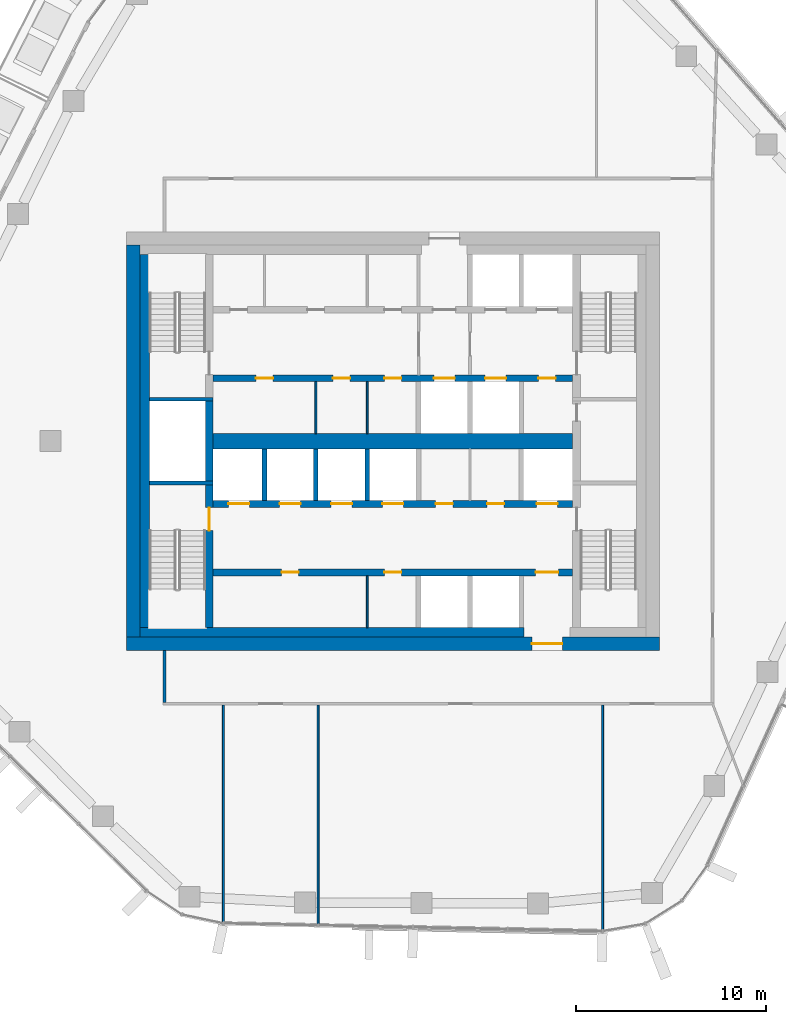
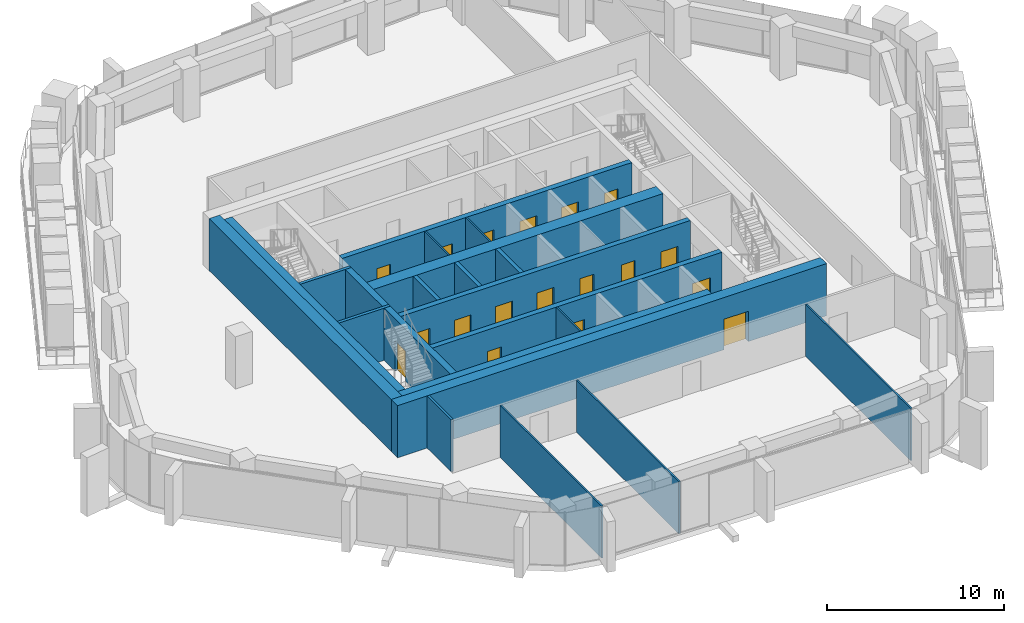
# One storey, part 11 of 21: 22 walls, 18 doors, 18 openings.
"""IFC4 building model written with IfcOpenShell, lengths in metres."""

from ifc_helpers import new_model, si_unit, direction, frame, frame_2d, origin, place, context, subcontext, project, spatial, rectangle, extrude, material, layer, layer_set, type_object, element, fill, save


model = new_model("IFC4")

# Units and contexts
model_context = context("Model", 3, precision=1e-05, world=origin(), true_north=direction((0.0, 1.0)))
body_context = subcontext(model_context, "Body", "Model", "MODEL_VIEW")
ifc_project = project(units=[si_unit("LENGTHUNIT", "METRE"), si_unit("AREAUNIT", "SQUARE_METRE"), si_unit("VOLUMEUNIT", "CUBIC_METRE"), si_unit("PLANEANGLEUNIT", "RADIAN"), si_unit("MASSUNIT", "GRAM", prefix="KILO")], contexts=[model_context])

# Site, building, storey
site_placement = place(None, origin())
site = spatial("IfcSite", under=ifc_project, at=site_placement, CompositionType="ELEMENT")
building_placement = place(site_placement, origin())
building = spatial("IfcBuilding", under=site, at=building_placement, Name="Dongbaek Canopy Tower", CompositionType="ELEMENT")
storey_placement = place(building_placement, frame((0.0, 0.0, 279.0)))
storey = spatial("IfcBuildingStorey", under=building, at=storey_placement, Name="L59", CompositionType="ELEMENT", Elevation=279.0)

# Wall
ifc_material_1 = material(Name="Concrete C60/75", Category="concrete")
ifc_layer_1 = layer(ifc_material_1, 0.800048828125)
ifc_layer_set_1 = layer_set([ifc_layer_1], Name="Core central wall 800 Concrete C60/75")
wall_type_1 = type_object("IfcWallType", Name="Core central wall 800 Concrete C60/75", PredefinedType="SHEAR", material=ifc_layer_set_1)
wall_1_placement = place(storey_placement, frame((-9.449951171875, 0.0, 0.0), z_axis=(0.0, 0.0, 1.0), x_axis=(1.0, 0.0, 0.0)))
element("IfcWall", 1, at=wall_1_placement, inside=storey, type_object=wall_type_1, Name="Core wall", PredefinedType="SHEAR", context=body_context, shape_type="SweptSolid", body=[
    extrude(rectangle(XDim=18.89990234375, YDim=0.800048828125, at=frame_2d((9.449951171875, 0.0))), origin(), (0.0, 0.0, 1.0), 3.60009765625),
])

# Wall, openings, doors
ifc_material_2 = material(Name="Concrete C60/75", Category="concrete")
ifc_layer_2 = layer(ifc_material_2, 0.35009765625)
ifc_layer_set_2 = layer_set([ifc_layer_2], Name="Core lobby wall 350 Concrete C60/75")
wall_type_2 = type_object("IfcWallType", Name="Core lobby wall 350 Concrete C60/75", PredefinedType="SHEAR", material=ifc_layer_set_2)
wall_2_placement = place(storey_placement, frame((9.449951171875, 3.300048828125, 0.0), z_axis=(0.0, 0.0, 1.0), x_axis=(-1.0, 0.0, 0.0)))
wall_2 = element("IfcWall", 2, at=wall_2_placement, inside=storey, type_object=wall_type_2, Name="Core wall", PredefinedType="SHEAR", context=body_context, shape_type="SweptSolid", body=[
    extrude(rectangle(XDim=18.89990234375, YDim=0.35009765625, at=frame_2d((9.449951171875, 0.0))), origin(), (0.0, 0.0, 1.0), 3.60009765625),
])
opening_1_placement = place(wall_2_placement, frame((6.199951171875, 0.0, 0.0)))
opening_1 = element("IfcOpeningElement", 3, at=opening_1_placement, cuts=wall_2, Name="Opening L59-D012", PredefinedType="OPENING", context=body_context, shape_type="SweptSolid", body=[
    extrude(rectangle(XDim=1.10009765625, YDim=2.10009765625, at=frame_2d((0.550048828125, 1.050048828125))), frame((0.0, 0.18505859375, 0.0), z_axis=(0.0, -1.0, 0.0), x_axis=(1.0, 0.0, 0.0)), (0.0, 0.0, 1.0), 0.3701171875),
])
opening_2_placement = place(wall_2_placement, frame((3.5, 0.0, 0.0)))
opening_2 = element("IfcOpeningElement", 4, at=opening_2_placement, cuts=wall_2, Name="Opening L59-D013", PredefinedType="OPENING", context=body_context, shape_type="SweptSolid", body=[
    extrude(rectangle(XDim=1.10009765625, YDim=2.10009765625, at=frame_2d((0.550048828125, 1.050048828125))), frame((0.0, 0.18505859375, 0.0), z_axis=(0.0, -1.0, 0.0), x_axis=(1.0, 0.0, 0.0)), (0.0, 0.0, 1.0), 0.3701171875),
])
opening_3_placement = place(wall_2_placement, frame((0.89990234375, 0.0, 0.0)))
opening_3 = element("IfcOpeningElement", 5, at=opening_3_placement, cuts=wall_2, Name="Opening L59-D014", PredefinedType="OPENING", context=body_context, shape_type="SweptSolid", body=[
    extrude(rectangle(XDim=0.89990234375, YDim=2.10009765625, at=frame_2d((0.449951171875, 1.050048828125))), frame((0.0, 0.18505859375, 0.0), z_axis=(0.0, -1.0, 0.0), x_axis=(1.0, 0.0, 0.0)), (0.0, 0.0, 1.0), 0.3701171875),
])
opening_4_placement = place(wall_2_placement, frame((15.75, 0.0, 0.0)))
opening_4 = element("IfcOpeningElement", 6, at=opening_4_placement, cuts=wall_2, Name="Opening L59-D025", PredefinedType="OPENING", context=body_context, shape_type="SweptSolid", body=[
    extrude(rectangle(XDim=0.89990234375, YDim=2.10009765625, at=frame_2d((0.449951171875, 1.050048828125))), frame((0.0, 0.18505859375, 0.0), z_axis=(0.0, -1.0, 0.0), x_axis=(1.0, 0.0, 0.0)), (0.0, 0.0, 1.0), 0.3701171875),
])
opening_5_placement = place(wall_2_placement, frame((11.699951171875, 0.0, 0.0)))
opening_5 = element("IfcOpeningElement", 7, at=opening_5_placement, cuts=wall_2, Name="Opening L59-D026", PredefinedType="OPENING", context=body_context, shape_type="SweptSolid", body=[
    extrude(rectangle(XDim=0.89990234375, YDim=2.10009765625, at=frame_2d((0.449951171875, 1.050048828125))), frame((0.0, 0.18505859375, 0.0), z_axis=(0.0, -1.0, 0.0), x_axis=(1.0, 0.0, 0.0)), (0.0, 0.0, 1.0), 0.3701171875),
])
opening_6_placement = place(wall_2_placement, frame((9.0, 0.0, 0.0)))
opening_6 = element("IfcOpeningElement", 8, at=opening_6_placement, cuts=wall_2, Name="Opening L59-D027", PredefinedType="OPENING", context=body_context, shape_type="SweptSolid", body=[
    extrude(rectangle(XDim=0.89990234375, YDim=2.10009765625, at=frame_2d((0.449951171875, 1.050048828125))), frame((0.0, 0.18505859375, 0.0), z_axis=(0.0, -1.0, 0.0), x_axis=(1.0, 0.0, 0.0)), (0.0, 0.0, 1.0), 0.3701171875),
])
ifc_material_3 = material(Name="Steel", Category="steel")
door_type_1 = type_object("IfcDoorType", Name="Core room door 900 x 2100", OperationType="SINGLE_SWING_LEFT", PredefinedType="DOOR", material=ifc_material_3)
door_1_placement = place(opening_3_placement, origin())
door_1 = element("IfcDoor", 9, at=door_1_placement, inside=storey, type_object=door_type_1, Name="Door L59-D014", OperationType="SINGLE_SWING_LEFT", OverallHeight=2.10009765625, OverallWidth=0.89990234375, PredefinedType="DOOR", context=body_context, shape_type="SweptSolid", body=[
    extrude(rectangle(XDim=0.89990234375, YDim=2.10009765625, at=frame_2d((0.449951171875, 1.050048828125))), frame((0.0, 0.02490234375, 0.0), z_axis=(0.0, -1.0, 0.0), x_axis=(1.0, 0.0, 0.0)), (0.0, 0.0, 1.0), 0.050048828125),
])
fill(opening_3, door_1)
door_2_placement = place(opening_4_placement, origin())
door_2 = element("IfcDoor", 10, at=door_2_placement, inside=storey, type_object=door_type_1, Name="Door L59-D025", OperationType="SINGLE_SWING_LEFT", OverallHeight=2.10009765625, OverallWidth=0.89990234375, PredefinedType="DOOR", context=body_context, shape_type="SweptSolid", body=[
    extrude(rectangle(XDim=0.89990234375, YDim=2.10009765625, at=frame_2d((0.449951171875, 1.050048828125))), frame((0.0, 0.02490234375, 0.0), z_axis=(0.0, -1.0, 0.0), x_axis=(1.0, 0.0, 0.0)), (0.0, 0.0, 1.0), 0.050048828125),
])
fill(opening_4, door_2)
door_3_placement = place(opening_5_placement, origin())
door_3 = element("IfcDoor", 11, at=door_3_placement, inside=storey, type_object=door_type_1, Name="Door L59-D026", OperationType="SINGLE_SWING_RIGHT", OverallHeight=2.10009765625, OverallWidth=0.89990234375, PredefinedType="DOOR", context=body_context, shape_type="SweptSolid", body=[
    extrude(rectangle(XDim=0.89990234375, YDim=2.10009765625, at=frame_2d((0.449951171875, 1.050048828125))), frame((0.0, 0.02490234375, 0.0), z_axis=(0.0, -1.0, 0.0), x_axis=(1.0, 0.0, 0.0)), (0.0, 0.0, 1.0), 0.050048828125),
])
fill(opening_5, door_3)
door_4_placement = place(opening_6_placement, origin())
door_4 = element("IfcDoor", 12, at=door_4_placement, inside=storey, type_object=door_type_1, Name="Door L59-D027", OperationType="SINGLE_SWING_LEFT", OverallHeight=2.10009765625, OverallWidth=0.89990234375, PredefinedType="DOOR", context=body_context, shape_type="SweptSolid", body=[
    extrude(rectangle(XDim=0.89990234375, YDim=2.10009765625, at=frame_2d((0.449951171875, 1.050048828125))), frame((0.0, 0.02490234375, 0.0), z_axis=(0.0, -1.0, 0.0), x_axis=(1.0, 0.0, 0.0)), (0.0, 0.0, 1.0), 0.050048828125),
])
fill(opening_6, door_4)
ifc_material_4 = material(Name="Stainless steel", Category="steel")
door_type_2 = type_object("IfcDoorType", Name="Lift landing door 1100 x 2100", OperationType="DOUBLE_DOOR_SLIDING", PredefinedType="DOOR", material=ifc_material_4)
door_5_placement = place(opening_1_placement, origin())
door_5 = element("IfcDoor", 13, at=door_5_placement, inside=storey, type_object=door_type_2, Name="Landing door SV1", OperationType="DOUBLE_DOOR_SLIDING", OverallHeight=2.10009765625, OverallWidth=1.10009765625, PredefinedType="DOOR", context=body_context, shape_type="SweptSolid", body=[
    extrude(rectangle(XDim=1.10009765625, YDim=2.10009765625, at=frame_2d((0.550048828125, 1.050048828125))), frame((0.0, 0.02490234375, 0.0), z_axis=(0.0, -1.0, 0.0), x_axis=(1.0, 0.0, 0.0)), (0.0, 0.0, 1.0), 0.050048828125),
])
fill(opening_1, door_5)
door_6_placement = place(opening_2_placement, origin())
door_6 = element("IfcDoor", 14, at=door_6_placement, inside=storey, type_object=door_type_2, Name="Landing door FF3", OperationType="DOUBLE_DOOR_SLIDING", OverallHeight=2.10009765625, OverallWidth=1.10009765625, PredefinedType="DOOR", context=body_context, shape_type="SweptSolid", body=[
    extrude(rectangle(XDim=1.10009765625, YDim=2.10009765625, at=frame_2d((0.550048828125, 1.050048828125))), frame((0.0, 0.02490234375, 0.0), z_axis=(0.0, -1.0, 0.0), x_axis=(1.0, 0.0, 0.0)), (0.0, 0.0, 1.0), 0.050048828125),
])
fill(opening_2, door_6)

wall_3_placement = place(storey_placement, frame((-9.449951171875, -3.300048828125, 0.0), z_axis=(0.0, 0.0, 1.0), x_axis=(1.0, 0.0, 0.0)))
wall_3 = element("IfcWall", 15, at=wall_3_placement, inside=storey, type_object=wall_type_2, Name="Core wall", PredefinedType="SHEAR", context=body_context, shape_type="SweptSolid", body=[
    extrude(rectangle(XDim=18.89990234375, YDim=0.35009765625, at=frame_2d((9.449951171875, 0.0))), origin(), (0.0, 0.0, 1.0), 3.60009765625),
])
opening_7_placement = place(wall_3_placement, frame((0.800048828125, 0.0, 0.0)))
opening_7 = element("IfcOpeningElement", 16, at=opening_7_placement, cuts=wall_3, Name="Opening L59-D015", PredefinedType="OPENING", context=body_context, shape_type="SweptSolid", body=[
    extrude(rectangle(XDim=1.10009765625, YDim=2.10009765625, at=frame_2d((0.550048828125, 1.050048828125))), frame((0.0, 0.18505859375, 0.0), z_axis=(0.0, -1.0, 0.0), x_axis=(1.0, 0.0, 0.0)), (0.0, 0.0, 1.0), 0.3701171875),
])
opening_8_placement = place(wall_3_placement, frame((3.5, 0.0, 0.0)))
opening_8 = element("IfcOpeningElement", 17, at=opening_8_placement, cuts=wall_3, Name="Opening L59-D016", PredefinedType="OPENING", context=body_context, shape_type="SweptSolid", body=[
    extrude(rectangle(XDim=1.10009765625, YDim=2.10009765625, at=frame_2d((0.550048828125, 1.050048828125))), frame((0.0, 0.18505859375, 0.0), z_axis=(0.0, -1.0, 0.0), x_axis=(1.0, 0.0, 0.0)), (0.0, 0.0, 1.0), 0.3701171875),
])
opening_9_placement = place(wall_3_placement, frame((6.199951171875, 0.0, 0.0)))
opening_9 = element("IfcOpeningElement", 18, at=opening_9_placement, cuts=wall_3, Name="Opening L59-D017", PredefinedType="OPENING", context=body_context, shape_type="SweptSolid", body=[
    extrude(rectangle(XDim=1.10009765625, YDim=2.10009765625, at=frame_2d((0.550048828125, 1.050048828125))), frame((0.0, 0.18505859375, 0.0), z_axis=(0.0, -1.0, 0.0), x_axis=(1.0, 0.0, 0.0)), (0.0, 0.0, 1.0), 0.3701171875),
])
opening_10_placement = place(wall_3_placement, frame((8.89990234375, 0.0, 0.0)))
opening_10 = element("IfcOpeningElement", 19, at=opening_10_placement, cuts=wall_3, Name="Opening L59-D018", PredefinedType="OPENING", context=body_context, shape_type="SweptSolid", body=[
    extrude(rectangle(XDim=1.10009765625, YDim=2.10009765625, at=frame_2d((0.550048828125, 1.050048828125))), frame((0.0, 0.18505859375, 0.0), z_axis=(0.0, -1.0, 0.0), x_axis=(1.0, 0.0, 0.0)), (0.0, 0.0, 1.0), 0.3701171875),
])
opening_11_placement = place(wall_3_placement, frame((17.0, 0.0, 0.0)))
opening_11 = element("IfcOpeningElement", 20, at=opening_11_placement, cuts=wall_3, Name="Opening L59-D019", PredefinedType="OPENING", context=body_context, shape_type="SweptSolid", body=[
    extrude(rectangle(XDim=1.10009765625, YDim=2.10009765625, at=frame_2d((0.550048828125, 1.050048828125))), frame((0.0, 0.18505859375, 0.0), z_axis=(0.0, -1.0, 0.0), x_axis=(1.0, 0.0, 0.0)), (0.0, 0.0, 1.0), 0.3701171875),
])
opening_12_placement = place(wall_3_placement, frame((11.699951171875, 0.0, 0.0)))
opening_12 = element("IfcOpeningElement", 21, at=opening_12_placement, cuts=wall_3, Name="Opening L59-D028", PredefinedType="OPENING", context=body_context, shape_type="SweptSolid", body=[
    extrude(rectangle(XDim=0.89990234375, YDim=2.10009765625, at=frame_2d((0.449951171875, 1.050048828125))), frame((0.0, 0.18505859375, 0.0), z_axis=(0.0, -1.0, 0.0), x_axis=(1.0, 0.0, 0.0)), (0.0, 0.0, 1.0), 0.3701171875),
])
opening_13_placement = place(wall_3_placement, frame((14.39990234375, 0.0, 0.0)))
opening_13 = element("IfcOpeningElement", 22, at=opening_13_placement, cuts=wall_3, Name="Opening L59-D029", PredefinedType="OPENING", context=body_context, shape_type="SweptSolid", body=[
    extrude(rectangle(XDim=0.89990234375, YDim=2.10009765625, at=frame_2d((0.449951171875, 1.050048828125))), frame((0.0, 0.18505859375, 0.0), z_axis=(0.0, -1.0, 0.0), x_axis=(1.0, 0.0, 0.0)), (0.0, 0.0, 1.0), 0.3701171875),
])
door_7_placement = place(opening_12_placement, origin())
door_7 = element("IfcDoor", 23, at=door_7_placement, inside=storey, type_object=door_type_1, Name="Door L59-D028", OperationType="SINGLE_SWING_RIGHT", OverallHeight=2.10009765625, OverallWidth=0.89990234375, PredefinedType="DOOR", context=body_context, shape_type="SweptSolid", body=[
    extrude(rectangle(XDim=0.89990234375, YDim=2.10009765625, at=frame_2d((0.449951171875, 1.050048828125))), frame((0.0, 0.02490234375, 0.0), z_axis=(0.0, -1.0, 0.0), x_axis=(1.0, 0.0, 0.0)), (0.0, 0.0, 1.0), 0.050048828125),
])
fill(opening_12, door_7)
door_8_placement = place(opening_13_placement, origin())
door_8 = element("IfcDoor", 24, at=door_8_placement, inside=storey, type_object=door_type_1, Name="Door L59-D029", OperationType="SINGLE_SWING_LEFT", OverallHeight=2.10009765625, OverallWidth=0.89990234375, PredefinedType="DOOR", context=body_context, shape_type="SweptSolid", body=[
    extrude(rectangle(XDim=0.89990234375, YDim=2.10009765625, at=frame_2d((0.449951171875, 1.050048828125))), frame((0.0, 0.02490234375, 0.0), z_axis=(0.0, -1.0, 0.0), x_axis=(1.0, 0.0, 0.0)), (0.0, 0.0, 1.0), 0.050048828125),
])
fill(opening_13, door_8)
door_9_placement = place(opening_7_placement, origin())
door_9 = element("IfcDoor", 25, at=door_9_placement, inside=storey, type_object=door_type_2, Name="Landing door MR1", OperationType="DOUBLE_DOOR_SLIDING", OverallHeight=2.10009765625, OverallWidth=1.10009765625, PredefinedType="DOOR", context=body_context, shape_type="SweptSolid", body=[
    extrude(rectangle(XDim=1.10009765625, YDim=2.10009765625, at=frame_2d((0.550048828125, 1.050048828125))), frame((0.0, 0.02490234375, 0.0), z_axis=(0.0, -1.0, 0.0), x_axis=(1.0, 0.0, 0.0)), (0.0, 0.0, 1.0), 0.050048828125),
])
fill(opening_7, door_9)
door_10_placement = place(opening_8_placement, origin())
door_10 = element("IfcDoor", 26, at=door_10_placement, inside=storey, type_object=door_type_2, Name="Landing door MR2", OperationType="DOUBLE_DOOR_SLIDING", OverallHeight=2.10009765625, OverallWidth=1.10009765625, PredefinedType="DOOR", context=body_context, shape_type="SweptSolid", body=[
    extrude(rectangle(XDim=1.10009765625, YDim=2.10009765625, at=frame_2d((0.550048828125, 1.050048828125))), frame((0.0, 0.02490234375, 0.0), z_axis=(0.0, -1.0, 0.0), x_axis=(1.0, 0.0, 0.0)), (0.0, 0.0, 1.0), 0.050048828125),
])
fill(opening_8, door_10)
door_11_placement = place(opening_9_placement, origin())
door_11 = element("IfcDoor", 27, at=door_11_placement, inside=storey, type_object=door_type_2, Name="Landing door MR3", OperationType="DOUBLE_DOOR_SLIDING", OverallHeight=2.10009765625, OverallWidth=1.10009765625, PredefinedType="DOOR", context=body_context, shape_type="SweptSolid", body=[
    extrude(rectangle(XDim=1.10009765625, YDim=2.10009765625, at=frame_2d((0.550048828125, 1.050048828125))), frame((0.0, 0.02490234375, 0.0), z_axis=(0.0, -1.0, 0.0), x_axis=(1.0, 0.0, 0.0)), (0.0, 0.0, 1.0), 0.050048828125),
])
fill(opening_9, door_11)
door_12_placement = place(opening_10_placement, origin())
door_12 = element("IfcDoor", 28, at=door_12_placement, inside=storey, type_object=door_type_2, Name="Landing door MR4", OperationType="DOUBLE_DOOR_SLIDING", OverallHeight=2.10009765625, OverallWidth=1.10009765625, PredefinedType="DOOR", context=body_context, shape_type="SweptSolid", body=[
    extrude(rectangle(XDim=1.10009765625, YDim=2.10009765625, at=frame_2d((0.550048828125, 1.050048828125))), frame((0.0, 0.02490234375, 0.0), z_axis=(0.0, -1.0, 0.0), x_axis=(1.0, 0.0, 0.0)), (0.0, 0.0, 1.0), 0.050048828125),
])
fill(opening_10, door_12)
door_13_placement = place(opening_11_placement, origin())
door_13 = element("IfcDoor", 29, at=door_13_placement, inside=storey, type_object=door_type_2, Name="Landing door SV2", OperationType="DOUBLE_DOOR_SLIDING", OverallHeight=2.10009765625, OverallWidth=1.10009765625, PredefinedType="DOOR", context=body_context, shape_type="SweptSolid", body=[
    extrude(rectangle(XDim=1.10009765625, YDim=2.10009765625, at=frame_2d((0.550048828125, 1.050048828125))), frame((0.0, 0.02490234375, 0.0), z_axis=(0.0, -1.0, 0.0), x_axis=(1.0, 0.0, 0.0)), (0.0, 0.0, 1.0), 0.050048828125),
])
fill(opening_11, door_13)

wall_4_placement = place(storey_placement, frame((9.449951171875, -6.89990234375, 0.0), z_axis=(0.0, 0.0, 1.0), x_axis=(-1.0, 0.0, 0.0)))
wall_4 = element("IfcWall", 30, at=wall_4_placement, inside=storey, type_object=wall_type_2, Name="Core wall", PredefinedType="SHEAR", context=body_context, shape_type="SweptSolid", body=[
    extrude(rectangle(XDim=18.89990234375, YDim=0.35009765625, at=frame_2d((9.449951171875, 0.0))), origin(), (0.0, 0.0, 1.0), 3.60009765625),
])
opening_14_placement = place(wall_4_placement, frame((0.75, 0.0, 0.0)))
opening_14 = element("IfcOpeningElement", 31, at=opening_14_placement, cuts=wall_4, Name="Opening L59-D021", PredefinedType="OPENING", context=body_context, shape_type="SweptSolid", body=[
    extrude(rectangle(XDim=1.199951171875, YDim=2.10009765625, at=frame_2d((0.60009765625, 1.050048828125))), frame((0.0, 0.18505859375, 0.0), z_axis=(0.0, -1.0, 0.0), x_axis=(1.0, 0.0, 0.0)), (0.0, 0.0, 1.0), 0.3701171875),
])
opening_15_placement = place(wall_4_placement, frame((14.39990234375, 0.0, 0.0)))
opening_15 = element("IfcOpeningElement", 32, at=opening_15_placement, cuts=wall_4, Name="Opening L59-D030", PredefinedType="OPENING", context=body_context, shape_type="SweptSolid", body=[
    extrude(rectangle(XDim=0.89990234375, YDim=2.10009765625, at=frame_2d((0.449951171875, 1.050048828125))), frame((0.0, 0.18505859375, 0.0), z_axis=(0.0, -1.0, 0.0), x_axis=(1.0, 0.0, 0.0)), (0.0, 0.0, 1.0), 0.3701171875),
])
opening_16_placement = place(wall_4_placement, frame((9.0, 0.0, 0.0)))
opening_16 = element("IfcOpeningElement", 33, at=opening_16_placement, cuts=wall_4, Name="Opening L59-D031", PredefinedType="OPENING", context=body_context, shape_type="SweptSolid", body=[
    extrude(rectangle(XDim=0.89990234375, YDim=2.10009765625, at=frame_2d((0.449951171875, 1.050048828125))), frame((0.0, 0.18505859375, 0.0), z_axis=(0.0, -1.0, 0.0), x_axis=(1.0, 0.0, 0.0)), (0.0, 0.0, 1.0), 0.3701171875),
])
door_14_placement = place(opening_15_placement, origin())
door_14 = element("IfcDoor", 34, at=door_14_placement, inside=storey, type_object=door_type_1, Name="Door L59-D030", OperationType="SINGLE_SWING_RIGHT", OverallHeight=2.10009765625, OverallWidth=0.89990234375, PredefinedType="DOOR", context=body_context, shape_type="SweptSolid", body=[
    extrude(rectangle(XDim=0.89990234375, YDim=2.10009765625, at=frame_2d((0.449951171875, 1.050048828125))), frame((0.0, 0.02490234375, 0.0), z_axis=(0.0, -1.0, 0.0), x_axis=(1.0, 0.0, 0.0)), (0.0, 0.0, 1.0), 0.050048828125),
])
fill(opening_15, door_14)
door_15_placement = place(opening_16_placement, origin())
door_15 = element("IfcDoor", 35, at=door_15_placement, inside=storey, type_object=door_type_1, Name="Door L59-D031", OperationType="SINGLE_SWING_LEFT", OverallHeight=2.10009765625, OverallWidth=0.89990234375, PredefinedType="DOOR", context=body_context, shape_type="SweptSolid", body=[
    extrude(rectangle(XDim=0.89990234375, YDim=2.10009765625, at=frame_2d((0.449951171875, 1.050048828125))), frame((0.0, 0.02490234375, 0.0), z_axis=(0.0, -1.0, 0.0), x_axis=(1.0, 0.0, 0.0)), (0.0, 0.0, 1.0), 0.050048828125),
])
fill(opening_16, door_15)
ifc_material_5 = material(Name="Steel", Category="steel")
door_type_3 = type_object("IfcDoorType", Name="Fire lobby door 1200 x 2100", OperationType="SINGLE_SWING_LEFT", PredefinedType="DOOR", material=ifc_material_5)
door_16_placement = place(opening_14_placement, origin())
door_16 = element("IfcDoor", 36, at=door_16_placement, inside=storey, type_object=door_type_3, Name="Door L59-D021", OperationType="SINGLE_SWING_LEFT", OverallHeight=2.10009765625, OverallWidth=1.199951171875, PredefinedType="DOOR", context=body_context, shape_type="SweptSolid", body=[
    extrude(rectangle(XDim=1.199951171875, YDim=2.10009765625, at=frame_2d((0.60009765625, 1.050048828125))), frame((0.0, 0.02490234375, 0.0), z_axis=(0.0, -1.0, 0.0), x_axis=(1.0, 0.0, 0.0)), (0.0, 0.0, 1.0), 0.050048828125),
])
fill(opening_14, door_16)

# Wall, opening, door
ifc_material_6 = material(Name="Concrete C70/85", Category="concrete")
ifc_layer_3 = layer(ifc_material_6, 0.699951171875)
ifc_layer_set_3 = layer_set([ifc_layer_3], Name="Core outer wall 700 Concrete C70/85")
wall_type_3 = type_object("IfcWallType", Name="Core outer wall 700 Concrete C70/85", PredefinedType="SHEAR", material=ifc_layer_set_3)
wall_5_placement = place(storey_placement, frame((14.0, -10.64990234375, 0.0), z_axis=(0.0, 0.0, 1.0), x_axis=(-1.0, 0.0, 0.0)))
wall_5 = element("IfcWall", 37, at=wall_5_placement, inside=storey, type_object=wall_type_3, Name="Core wall", PredefinedType="SHEAR", context=body_context, shape_type="SweptSolid", body=[
    extrude(rectangle(XDim=28.0, YDim=0.699951171875, at=frame_2d((14.0, 0.0))), origin(), (0.0, 0.0, 1.0), 3.60009765625),
])
opening_17_placement = place(wall_5_placement, frame((5.10009765625, 0.0, 0.0)))
opening_17 = element("IfcOpeningElement", 38, at=opening_17_placement, cuts=wall_5, Name="Opening L59-D020", PredefinedType="OPENING", context=body_context, shape_type="SweptSolid", body=[
    extrude(rectangle(XDim=1.60009765625, YDim=2.10009765625, at=frame_2d((0.800048828125, 1.050048828125))), frame((0.0, 0.35986328125, 0.0), z_axis=(0.0, -1.0, 0.0), x_axis=(1.0, 0.0, 0.0)), (0.0, 0.0, 1.0), 0.719970703125),
])
ifc_material_7 = material(Name="Steel", Category="steel")
door_type_4 = type_object("IfcDoorType", Name="Core exit door 1600 x 2100", OperationType="DOUBLE_DOOR_SINGLE_SWING", PredefinedType="DOOR", material=ifc_material_7)
door_17_placement = place(opening_17_placement, origin())
door_17 = element("IfcDoor", 39, at=door_17_placement, inside=storey, type_object=door_type_4, Name="Core exit door", OperationType="DOUBLE_DOOR_SINGLE_SWING", OverallHeight=2.10009765625, OverallWidth=1.60009765625, PredefinedType="DOOR", context=body_context, shape_type="SweptSolid", body=[
    extrude(rectangle(XDim=1.60009765625, YDim=2.10009765625, at=frame_2d((0.800048828125, 1.050048828125))), frame((0.0, 0.02490234375, 0.0), z_axis=(0.0, -1.0, 0.0), x_axis=(1.0, 0.0, 0.0)), (0.0, 0.0, 1.0), 0.050048828125),
])
fill(opening_17, door_17)

# Walls
wall_6_placement = place(storey_placement, frame((-13.64990234375, -10.300048828125, 0.0), z_axis=(0.0, 0.0, 1.0), x_axis=(0.0, 1.0, 0.0)))
element("IfcWall", 40, at=wall_6_placement, inside=storey, type_object=wall_type_3, Name="Core wall", PredefinedType="SHEAR", context=body_context, shape_type="SweptSolid", body=[
    extrude(rectangle(XDim=20.60009765625, YDim=0.699951171875, at=frame_2d((10.300048828125, 0.0))), origin(), (0.0, 0.0, 1.0), 3.60009765625),
])
ifc_material_8 = material(Name="Concrete C60/75", Category="concrete")
ifc_layer_4 = layer(ifc_material_8, 0.5)
ifc_layer_set_4 = layer_set([ifc_layer_4], Name="Core wall lining 500 Concrete C60/75")
wall_type_4 = type_object("IfcWallType", Name="Core wall lining 500 Concrete C60/75", PredefinedType="SHEAR", material=ifc_layer_set_4)
wall_7_placement = place(storey_placement, frame((6.89990234375, -10.050048828125, 0.0), z_axis=(0.0, 0.0, 1.0), x_axis=(-1.0, 0.0, 0.0)))
element("IfcWall", 41, at=wall_7_placement, inside=storey, type_object=wall_type_4, Name="Core wall lining", PredefinedType="SHEAR", context=body_context, shape_type="SweptSolid", body=[
    extrude(rectangle(XDim=20.199951171875, YDim=0.5, at=frame_2d((10.10009765625, 0.0))), origin(), (0.0, 0.0, 1.0), 3.60009765625),
])
wall_8_placement = place(storey_placement, frame((-13.050048828125, -9.800048828125, 0.0), z_axis=(0.0, 0.0, 1.0), x_axis=(0.0, 1.0, 0.0)))
element("IfcWall", 42, at=wall_8_placement, inside=storey, type_object=wall_type_4, Name="Core wall lining", PredefinedType="SHEAR", context=body_context, shape_type="SweptSolid", body=[
    extrude(rectangle(XDim=19.60009765625, YDim=0.5, at=frame_2d((9.800048828125, 0.0))), origin(), (0.0, 0.0, 1.0), 3.60009765625),
])
ifc_material_9 = material(Name="Gypsum board partition, steel stud, 2 x 15 mm fire board", Category="steel")
ifc_layer_5 = layer(ifc_material_9, 0.14990234375)
ifc_layer_set_5 = layer_set([ifc_layer_5], Name="Fire-rated partition 150 gypsum board")
wall_type_5 = type_object("IfcWallType", Name="Fire-rated partition 150 gypsum board", PredefinedType="PARTITIONING", material=ifc_layer_set_5)
wall_9_placement = place(storey_placement, frame((-12.0, -13.72509765625, 0.0), z_axis=(0.0, 0.0, 1.0), x_axis=(0.0, 1.0, 0.0)))
element("IfcWall", 43, at=wall_9_placement, inside=storey, type_object=wall_type_5, Name="Corridor partition", PredefinedType="PARTITIONING", context=body_context, shape_type="SweptSolid", body=[
    extrude(rectangle(XDim=2.72509765625, YDim=0.14990234375, at=frame_2d((1.362548828125, 0.0))), origin(), (0.0, 0.0, 1.0), 3.60009765625),
])
ifc_material_10 = material(Name="Concrete C40/50", Category="concrete")
ifc_layer_6 = layer(ifc_material_10, 0.25)
ifc_layer_set_6 = layer_set([ifc_layer_6], Name="Lift shaft wall 250 Concrete C40/50")
wall_type_6 = type_object("IfcWallType", Name="Lift shaft wall 250 Concrete C40/50", PredefinedType="SOLIDWALL", material=ifc_layer_set_6)
for number, where, z_axis, x_axis, name in (
    (44, (-1.35009765625, -3.125, 0.0), (0.0, 0.0, 1.0), (0.0, 1.0, 0.0), "Lift shaft wall"),
    (45, (-4.050048828125, -3.125, 0.0), (0.0, 0.0, 1.0), (0.0, 1.0, 0.0), "Lift shaft wall"),
    (46, (-6.75, -3.125, 0.0), (0.0, 0.0, 1.0), (0.0, 1.0, 0.0), "Lift shaft wall"),
):
    element("IfcWall", number, at=place(storey_placement, frame(where, z_axis=z_axis, x_axis=x_axis)), inside=storey, type_object=wall_type_6, Name=name, PredefinedType="SOLIDWALL", context=body_context, shape_type="SweptSolid", body=[
        extrude(rectangle(XDim=2.72509765625, YDim=0.25, at=frame_2d((1.362548828125, 0.0))), origin(), (0.0, 0.0, 1.0), 3.60009765625),
    ])
ifc_material_11 = material(Name="Gypsum board partition, steel stud, 2 x 12.5 mm board", Category="steel")
ifc_layer_7 = layer(ifc_material_11, 0.10009765625)
ifc_layer_set_7 = layer_set([ifc_layer_7], Name="Partition 100 gypsum board")
wall_type_7 = type_object("IfcWallType", Name="Partition 100 gypsum board", PredefinedType="PARTITIONING", material=ifc_layer_set_7)
wall_10_placement = place(storey_placement, frame((11.01904296875, -25.739501953125, 0.0), z_axis=(0.0, 0.0, 1.0), x_axis=(0.0, 1.0, 0.0)))
element("IfcWall", 47, at=wall_10_placement, inside=storey, type_object=wall_type_7, Name="Partition", PredefinedType="PARTITIONING", context=body_context, shape_type="SweptSolid", body=[
    extrude(rectangle(XDim=11.864501953125, YDim=0.10009765625, at=frame_2d((5.93212890625, 0.0))), origin(), (0.0, 0.0, 1.0), 3.60009765625),
])
wall_11_placement = place(storey_placement, frame((-3.93408203125, -25.4326171875, 0.0), z_axis=(0.0, 0.0, 1.0), x_axis=(0.0, 1.0, 0.0)))
element("IfcWall", 48, at=wall_11_placement, inside=storey, type_object=wall_type_7, Name="Partition", PredefinedType="PARTITIONING", context=body_context, shape_type="SweptSolid", body=[
    extrude(rectangle(XDim=11.5576171875, YDim=0.10009765625, at=frame_2d((5.77880859375, 0.0))), origin(), (0.0, 0.0, 1.0), 3.60009765625),
])
wall_12_placement = place(storey_placement, frame((-8.912109375, -25.329833984375, 0.0), z_axis=(0.0, 0.0, 1.0), x_axis=(0.0, 1.0, 0.0)))
element("IfcWall", 49, at=wall_12_placement, inside=storey, type_object=wall_type_7, Name="Partition", PredefinedType="PARTITIONING", context=body_context, shape_type="SweptSolid", body=[
    extrude(rectangle(XDim=11.454833984375, YDim=0.10009765625, at=frame_2d((5.7275390625, 0.0))), origin(), (0.0, 0.0, 1.0), 3.60009765625),
])
for number, where, z_axis, x_axis, name in (
    (50, (-1.35009765625, -9.800048828125, 0.0), (0.0, 0.0, 1.0), (0.0, 1.0, 0.0), "Core partition"),
    (51, (-1.35009765625, 0.39990234375, 0.0), (0.0, 0.0, 1.0), (0.0, 1.0, 0.0), "Core partition"),
    (52, (-4.050048828125, 0.39990234375, 0.0), (0.0, 0.0, 1.0), (0.0, 1.0, 0.0), "Core partition"),
):
    element("IfcWall", number, at=place(storey_placement, frame(where, z_axis=z_axis, x_axis=x_axis)), inside=storey, type_object=wall_type_7, Name=name, PredefinedType="PARTITIONING", context=body_context, shape_type="SweptSolid", body=[
        extrude(rectangle(XDim=2.72509765625, YDim=0.10009765625, at=frame_2d((1.362548828125, 0.0))), origin(), (0.0, 0.0, 1.0), 3.60009765625),
    ])
ifc_material_12 = material(Name="Concrete C60/75", Category="concrete")
ifc_layer_8 = layer(ifc_material_12, 0.199951171875)
ifc_layer_set_8 = layer_set([ifc_layer_8], Name="Riser wall 200 Concrete C60/75")
wall_type_8 = type_object("IfcWallType", Name="Riser wall 200 Concrete C60/75", PredefinedType="SHEAR", material=ifc_layer_set_8)
for number, where, z_axis, x_axis, name in (
    (53, (-9.449951171875, 2.199951171875, 0.0), (0.0, 0.0, 1.0), (-1.0, 0.0, 0.0), "Riser wall"),
    (54, (-9.449951171875, -2.199951171875, 0.0), (0.0, 0.0, 1.0), (-1.0, 0.0, 0.0), "Riser wall"),
):
    element("IfcWall", number, at=place(storey_placement, frame(where, z_axis=z_axis, x_axis=x_axis)), inside=storey, type_object=wall_type_8, Name=name, PredefinedType="SHEAR", context=body_context, shape_type="SweptSolid", body=[
        extrude(rectangle(XDim=3.35009765625, YDim=0.199951171875, at=frame_2d((1.675048828125, 0.0))), origin(), (0.0, 0.0, 1.0), 3.60009765625),
    ])

# Wall, opening, door
ifc_material_13 = material(Name="Concrete C60/75", Category="concrete")
ifc_layer_9 = layer(ifc_material_13, 0.39990234375)
ifc_layer_set_9 = layer_set([ifc_layer_9], Name="Stair wall 400 Concrete C60/75")
wall_type_9 = type_object("IfcWallType", Name="Stair wall 400 Concrete C60/75", PredefinedType="SHEAR", material=ifc_layer_set_9)
wall_13_placement = place(storey_placement, frame((-9.64990234375, -9.800048828125, 0.0), z_axis=(0.0, 0.0, 1.0), x_axis=(0.0, 1.0, 0.0)))
wall_13 = element("IfcWall", 55, at=wall_13_placement, inside=storey, type_object=wall_type_9, Name="Stair wall", PredefinedType="SHEAR", context=body_context, shape_type="SweptSolid", body=[
    extrude(rectangle(XDim=7.5, YDim=0.39990234375, at=frame_2d((3.75, 0.0))), origin(), (0.0, 0.0, 1.0), 3.60009765625),
])
opening_18_placement = place(wall_13_placement, frame((5.10009765625, 0.0, 0.0)))
opening_18 = element("IfcOpeningElement", 56, at=opening_18_placement, cuts=wall_13, Name="Opening L59-D035", PredefinedType="OPENING", context=body_context, shape_type="SweptSolid", body=[
    extrude(rectangle(XDim=1.199951171875, YDim=2.10009765625, at=frame_2d((0.60009765625, 1.050048828125))), frame((0.0, 0.2099609375, 0.0), z_axis=(0.0, -1.0, 0.0), x_axis=(1.0, 0.0, 0.0)), (0.0, 0.0, 1.0), 0.419921875),
])
ifc_material_14 = material(Name="Steel", Category="steel")
door_type_5 = type_object("IfcDoorType", Name="Stair door 1200 x 2100", OperationType="SINGLE_SWING_LEFT", PredefinedType="DOOR", material=ifc_material_14)
door_18_placement = place(opening_18_placement, origin())
door_18 = element("IfcDoor", 57, at=door_18_placement, inside=storey, type_object=door_type_5, Name="Stair D door", OperationType="SINGLE_SWING_LEFT", OverallHeight=2.10009765625, OverallWidth=1.199951171875, PredefinedType="DOOR", context=body_context, shape_type="SweptSolid", body=[
    extrude(rectangle(XDim=1.199951171875, YDim=2.10009765625, at=frame_2d((0.60009765625, 1.050048828125))), frame((0.0, 0.02490234375, 0.0), z_axis=(0.0, -1.0, 0.0), x_axis=(1.0, 0.0, 0.0)), (0.0, 0.0, 1.0), 0.050048828125),
])
fill(opening_18, door_18)

# Wall
wall_14_placement = place(storey_placement, frame((-9.64990234375, -2.10009765625, 0.0), z_axis=(0.0, 0.0, 1.0), x_axis=(0.0, 1.0, 0.0)))
element("IfcWall", 58, at=wall_14_placement, inside=storey, type_object=wall_type_9, Name="Stair wall", PredefinedType="SHEAR", context=body_context, shape_type="SweptSolid", body=[
    extrude(rectangle(XDim=4.2001953125, YDim=0.39990234375, at=frame_2d((2.10009765625, 0.0))), origin(), (0.0, 0.0, 1.0), 3.60009765625),
])

save(model, "model.ifc")
